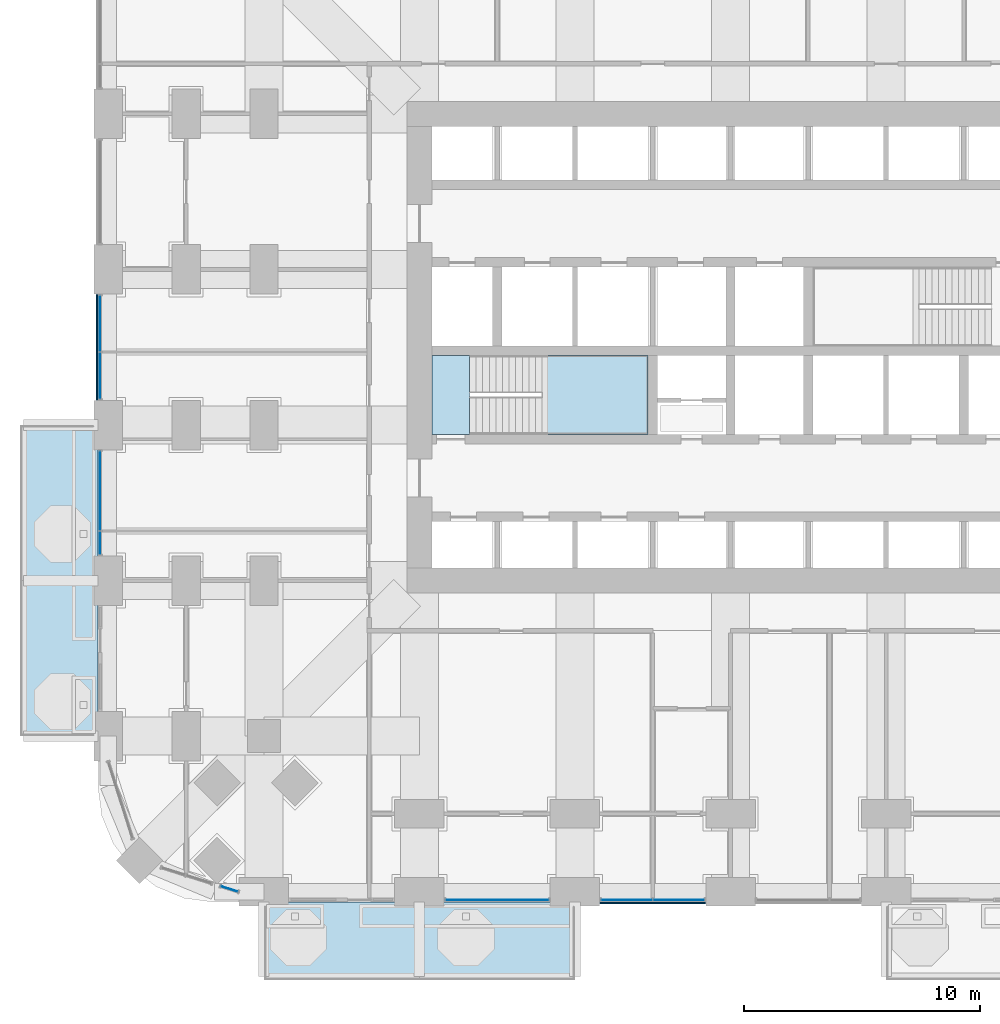
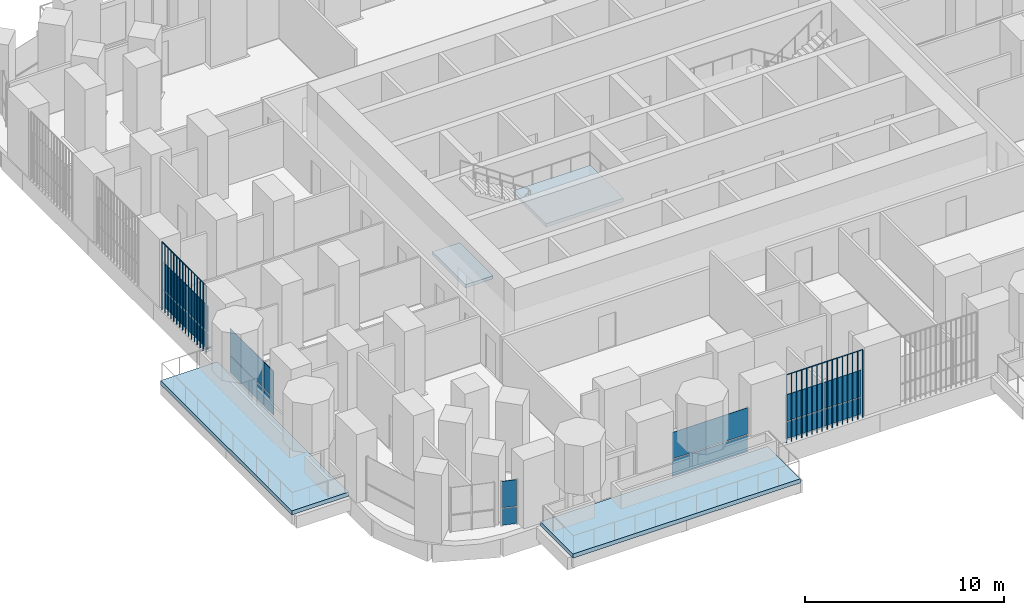
# One storey, part 12 of 27: 18 plates, 4 slabs, 6 elements without a shape of their own.
"""IFC4 building model written with IfcOpenShell, lengths in metres."""

from ifc_helpers import new_model, si_unit, direction, frame, origin, origin_2d, place, context, subcontext, project, spatial, polyline, rectangle, outline, extrude, material, layer, layer_set, type_object, element, aggregate, save


model = new_model("IFC4")

# Units and contexts
model_context = context("Model", 3, precision=1e-05, world=origin(), true_north=direction((0.0, 1.0)))
body_context = subcontext(model_context, "Body", "Model", "MODEL_VIEW")
ifc_project = project(units=[si_unit("LENGTHUNIT", "METRE"), si_unit("AREAUNIT", "SQUARE_METRE"), si_unit("VOLUMEUNIT", "CUBIC_METRE"), si_unit("PLANEANGLEUNIT", "RADIAN"), si_unit("MASSUNIT", "GRAM", prefix="KILO")], contexts=[model_context])

# Site, building, storey
site_placement = place(None, origin())
site = spatial("IfcSite", under=ifc_project, at=site_placement, CompositionType="ELEMENT")
building_placement = place(site_placement, origin())
building = spatial("IfcBuilding", under=site, at=building_placement, Name="Cobogo Forest Laboratory Tower", CompositionType="ELEMENT")
storey_placement = place(building_placement, frame((0.0, 0.0, 54.89990234375)))
storey = spatial("IfcBuildingStorey", under=building, at=storey_placement, Name="L12", CompositionType="ELEMENT", Elevation=54.89990234375)

# Slabs
ifc_material_1 = material(Name="Concrete HA-40 (C40/50)", Category="concrete")
ifc_layer_1 = layer(ifc_material_1, 0.25)
ifc_layer_set_1 = layer_set([ifc_layer_1], Name="Balcony slab 250")
slab_type_1 = type_object("IfcSlabType", Name="Balcony slab 250", PredefinedType="FLOOR", material=ifc_layer_set_1)
slab_1_placement = place(storey_placement, frame((0.0, 0.0, -0.25)))
element("IfcSlab", 1, at=slab_1_placement, inside=storey, type_object=slab_type_1, Name="Balcony BAL-S1 L12", PredefinedType="FLOOR", context=body_context, shape_type="SweptSolid", body=[
    extrude(outline(polyline([(6.60009765625, -3.75), (19.800048828125, -3.75), (19.800048828125, -0.449951171875), (6.60009765625, -0.449951171875), (6.60009765625, -3.75)])), origin(), (0.0, 0.0, 1.0), 0.25),
])
slab_2_placement = place(storey_placement, frame((0.0, 0.0, -0.25)))
element("IfcSlab", 2, at=slab_2_placement, inside=storey, type_object=slab_type_1, Name="Balcony BAL-W1 L12", PredefinedType="FLOOR", context=body_context, shape_type="SweptSolid", body=[
    extrude(outline(polyline([(-3.75, 6.60009765625), (-0.449951171875, 6.60009765625), (-0.449951171875, 19.800048828125), (-3.75, 19.800048828125), (-3.75, 6.60009765625)])), origin(), (0.0, 0.0, 1.0), 0.25),
])

# Curtain wall, plates
ifc_material_2 = material(Name="Aluminium curtain wall", Category="aluminium")
curtain_wall_type = type_object("IfcCurtainWallType", Name="CW-1 unitised curtain wall, clear glazing, laboratory floors zones A and B", PredefinedType="USERDEFINED", material=ifc_material_2)
curtain_wall_1_placement = place(storey_placement, origin())
curtain_wall_1 = element("IfcCurtainWall", 3, at=curtain_wall_1_placement, inside=storey, type_object=curtain_wall_type, Name="Curtain wall 02 L12", ObjectType="UNITISED CURTAIN WALL", PredefinedType="USERDEFINED")
ifc_material_3 = material(Name="Clear insulated glass", Category="glass")
ifc_layer_2 = layer(ifc_material_3, 0.028076171875)
ifc_layer_set_2 = layer_set([ifc_layer_2], Name="GP-1 clear insulated glass unit 28")
plate_type_1 = type_object("IfcPlateType", Name="GP-1 clear insulated glass unit 28", PredefinedType="CURTAIN_PANEL", material=ifc_layer_set_2)
plate_1_placement = place(storey_placement, frame((16.5, -0.35009765625, 0.0), z_axis=(0.0, 0.0, 1.0), x_axis=(1.0, 0.0, 0.0)))
plate_1 = element("IfcPlate", 4, at=plate_1_placement, type_object=plate_type_1, Name="CW-1 panel 1.1", PredefinedType="CURTAIN_PANEL", context=body_context, shape_type="SweptSolid", body=[
    extrude(rectangle(XDim=4.3798828125, YDim=0.028076171875, at=origin_2d()), origin(), (0.0, 0.0, 1.0), 1.02001953125),
])
plate_2_placement = place(storey_placement, frame((16.5, -0.35009765625, 1.080078125), z_axis=(0.0, 0.0, 1.0), x_axis=(1.0, 0.0, 0.0)))
plate_2 = element("IfcPlate", 5, at=plate_2_placement, type_object=plate_type_1, Name="CW-1 panel 1.2", PredefinedType="CURTAIN_PANEL", context=body_context, shape_type="SweptSolid", body=[
    extrude(rectangle(XDim=4.3798828125, YDim=0.028076171875, at=origin_2d()), origin(), (0.0, 0.0, 1.0), 1.6201171875),
])
aggregate(curtain_wall_1, [plate_1, plate_2])

curtain_wall_2_placement = place(storey_placement, origin())
curtain_wall_2 = element("IfcCurtainWall", 6, at=curtain_wall_2_placement, inside=storey, type_object=curtain_wall_type, Name="Curtain wall 03 L12", ObjectType="UNITISED CURTAIN WALL", PredefinedType="USERDEFINED")
plate_3_placement = place(storey_placement, frame((21.989990234375, -0.35009765625, 0.0), z_axis=(0.0, 0.0, 1.0), x_axis=(1.0, 0.0, 0.0)))
plate_3 = element("IfcPlate", 7, at=plate_3_placement, type_object=plate_type_1, Name="CW-1 panel 1.1", PredefinedType="CURTAIN_PANEL", context=body_context, shape_type="SweptSolid", body=[
    extrude(rectangle(XDim=2.159912109375, YDim=0.028076171875, at=origin_2d()), origin(), (0.0, 0.0, 1.0), 1.02001953125),
])
plate_4_placement = place(storey_placement, frame((21.989990234375, -0.35009765625, 1.080078125), z_axis=(0.0, 0.0, 1.0), x_axis=(1.0, 0.0, 0.0)))
plate_4 = element("IfcPlate", 8, at=plate_4_placement, type_object=plate_type_1, Name="CW-1 panel 1.2", PredefinedType="CURTAIN_PANEL", context=body_context, shape_type="SweptSolid", body=[
    extrude(rectangle(XDim=2.159912109375, YDim=0.028076171875, at=origin_2d()), origin(), (0.0, 0.0, 1.0), 1.6201171875),
])
plate_5_placement = place(storey_placement, frame((24.2099609375, -0.35009765625, 0.0), z_axis=(0.0, 0.0, 1.0), x_axis=(1.0, 0.0, 0.0)))
plate_5 = element("IfcPlate", 9, at=plate_5_placement, type_object=plate_type_1, Name="CW-1 panel 2.1", PredefinedType="CURTAIN_PANEL", context=body_context, shape_type="SweptSolid", body=[
    extrude(rectangle(XDim=2.159912109375, YDim=0.028076171875, at=origin_2d()), origin(), (0.0, 0.0, 1.0), 1.02001953125),
])
plate_6_placement = place(storey_placement, frame((24.2099609375, -0.35009765625, 1.080078125), z_axis=(0.0, 0.0, 1.0), x_axis=(1.0, 0.0, 0.0)))
plate_6 = element("IfcPlate", 10, at=plate_6_placement, type_object=plate_type_1, Name="CW-1 panel 2.2", PredefinedType="CURTAIN_PANEL", context=body_context, shape_type="SweptSolid", body=[
    extrude(rectangle(XDim=2.159912109375, YDim=0.028076171875, at=origin_2d()), origin(), (0.0, 0.0, 1.0), 1.6201171875),
])
aggregate(curtain_wall_2, [plate_3, plate_4, plate_5, plate_6])

curtain_wall_3_placement = place(storey_placement, origin())
curtain_wall_3 = element("IfcCurtainWall", 11, at=curtain_wall_3_placement, inside=storey, type_object=curtain_wall_type, Name="Curtain wall 29 L12", ObjectType="UNITISED CURTAIN WALL", PredefinedType="USERDEFINED")
plate_7_placement = place(storey_placement, frame((-0.35009765625, 24.110107421875, 0.0), z_axis=(0.0, 0.0, 1.0), x_axis=(0.0, -1.0, 0.0)))
plate_7 = element("IfcPlate", 12, at=plate_7_placement, type_object=plate_type_1, Name="CW-1 panel 1.1", PredefinedType="CURTAIN_PANEL", context=body_context, shape_type="SweptSolid", body=[
    extrude(rectangle(XDim=2.360107421875, YDim=0.028076171875, at=origin_2d()), origin(), (0.0, 0.0, 1.0), 1.02001953125),
])
plate_8_placement = place(storey_placement, frame((-0.35009765625, 24.110107421875, 1.080078125), z_axis=(0.0, 0.0, 1.0), x_axis=(0.0, -1.0, 0.0)))
plate_8 = element("IfcPlate", 13, at=plate_8_placement, type_object=plate_type_1, Name="CW-1 panel 1.2", PredefinedType="CURTAIN_PANEL", context=body_context, shape_type="SweptSolid", body=[
    extrude(rectangle(XDim=2.360107421875, YDim=0.028076171875, at=origin_2d()), origin(), (0.0, 0.0, 1.0), 1.6201171875),
])
plate_9_placement = place(storey_placement, frame((-0.35009765625, 21.889892578125, 0.0), z_axis=(0.0, 0.0, 1.0), x_axis=(0.0, -1.0, 0.0)))
plate_9 = element("IfcPlate", 14, at=plate_9_placement, type_object=plate_type_1, Name="CW-1 panel 2.1", PredefinedType="CURTAIN_PANEL", context=body_context, shape_type="SweptSolid", body=[
    extrude(rectangle(XDim=1.9599609375, YDim=0.028076171875, at=origin_2d()), origin(), (0.0, 0.0, 1.0), 1.02001953125),
])
plate_10_placement = place(storey_placement, frame((-0.35009765625, 21.889892578125, 1.080078125), z_axis=(0.0, 0.0, 1.0), x_axis=(0.0, -1.0, 0.0)))
plate_10 = element("IfcPlate", 15, at=plate_10_placement, type_object=plate_type_1, Name="CW-1 panel 2.2", PredefinedType="CURTAIN_PANEL", context=body_context, shape_type="SweptSolid", body=[
    extrude(rectangle(XDim=1.9599609375, YDim=0.028076171875, at=origin_2d()), origin(), (0.0, 0.0, 1.0), 1.6201171875),
])
aggregate(curtain_wall_3, [plate_7, plate_8, plate_9, plate_10])

curtain_wall_4_placement = place(storey_placement, origin())
curtain_wall_4 = element("IfcCurtainWall", 16, at=curtain_wall_4_placement, inside=storey, type_object=curtain_wall_type, Name="Curtain wall 30 L12", ObjectType="UNITISED CURTAIN WALL", PredefinedType="USERDEFINED")
plate_11_placement = place(storey_placement, frame((-0.35009765625, 17.010009765625, 0.0), z_axis=(0.0, 0.0, 1.0), x_axis=(0.0, -1.0, 0.0)))
plate_11 = element("IfcPlate", 17, at=plate_11_placement, type_object=plate_type_1, Name="CW-1 panel 1.1", PredefinedType="CURTAIN_PANEL", context=body_context, shape_type="SweptSolid", body=[
    extrude(rectangle(XDim=3.360107421875, YDim=0.028076171875, at=origin_2d()), origin(), (0.0, 0.0, 1.0), 1.02001953125),
])
plate_12_placement = place(storey_placement, frame((-0.35009765625, 17.010009765625, 1.080078125), z_axis=(0.0, 0.0, 1.0), x_axis=(0.0, -1.0, 0.0)))
plate_12 = element("IfcPlate", 18, at=plate_12_placement, type_object=plate_type_1, Name="CW-1 panel 1.2", PredefinedType="CURTAIN_PANEL", context=body_context, shape_type="SweptSolid", body=[
    extrude(rectangle(XDim=3.360107421875, YDim=0.028076171875, at=origin_2d()), origin(), (0.0, 0.0, 1.0), 1.6201171875),
])
plate_13_placement = place(storey_placement, frame((-0.35009765625, 14.7900390625, 0.0), z_axis=(0.0, 0.0, 1.0), x_axis=(0.0, -1.0, 0.0)))
plate_13 = element("IfcPlate", 19, at=plate_13_placement, type_object=plate_type_1, Name="CW-1 panel 2.1", PredefinedType="CURTAIN_PANEL", context=body_context, shape_type="SweptSolid", body=[
    extrude(rectangle(XDim=0.9599609375, YDim=0.028076171875, at=origin_2d()), origin(), (0.0, 0.0, 1.0), 1.02001953125),
])
plate_14_placement = place(storey_placement, frame((-0.35009765625, 14.7900390625, 1.080078125), z_axis=(0.0, 0.0, 1.0), x_axis=(0.0, -1.0, 0.0)))
plate_14 = element("IfcPlate", 20, at=plate_14_placement, type_object=plate_type_1, Name="CW-1 panel 2.2", PredefinedType="CURTAIN_PANEL", context=body_context, shape_type="SweptSolid", body=[
    extrude(rectangle(XDim=0.9599609375, YDim=0.028076171875, at=origin_2d()), origin(), (0.0, 0.0, 1.0), 1.6201171875),
])
aggregate(curtain_wall_4, [plate_11, plate_12, plate_13, plate_14])

curtain_wall_5_placement = place(storey_placement, origin())
curtain_wall_5 = element("IfcCurtainWall", 21, at=curtain_wall_5_placement, inside=storey, type_object=curtain_wall_type, Name="Curtain wall 34 L12", ObjectType="UNITISED CURTAIN WALL", PredefinedType="USERDEFINED")
plate_15_placement = place(storey_placement, frame((5.134033203125, 0.113037109375, 0.0), z_axis=(0.0, 0.0, 1.0), x_axis=(0.953581504428, -0.301135043481, 0.0)))
plate_15 = element("IfcPlate", 22, at=plate_15_placement, type_object=plate_type_1, Name="CW-1 panel 1.1", PredefinedType="CURTAIN_PANEL", context=body_context, shape_type="SweptSolid", body=[
    extrude(rectangle(XDim=0.75244140625, YDim=0.028076171875, at=origin_2d()), origin(), (0.0, 0.0, 1.0), 1.02001953125),
])
plate_16_placement = place(storey_placement, frame((5.134033203125, 0.113037109375, 1.080078125), z_axis=(0.0, 0.0, 1.0), x_axis=(0.953581504428, -0.301135043481, 0.0)))
plate_16 = element("IfcPlate", 23, at=plate_16_placement, type_object=plate_type_1, Name="CW-1 panel 1.2", PredefinedType="CURTAIN_PANEL", context=body_context, shape_type="SweptSolid", body=[
    extrude(rectangle(XDim=0.75244140625, YDim=0.028076171875, at=origin_2d()), origin(), (0.0, 0.0, 1.0), 1.6201171875),
])
aggregate(curtain_wall_5, [plate_15, plate_16])

# Stair, slabs
ifc_material_4 = material(Name="Precast concrete HA-40 (C40/50)", Category="concrete")
stair_type = type_object("IfcStairType", Name="ST24 exit stair 24 risers", PredefinedType="HALF_TURN_STAIR", material=ifc_material_4)
stair_placement = place(storey_placement, origin())
stair = element("IfcStair", 24, at=stair_placement, inside=storey, type_object=stair_type, Name="Stair 1 L12 to L13", PredefinedType="HALF_TURN_STAIR")
ifc_layer_3 = layer(ifc_material_1, 0.199951171875)
ifc_layer_set_3 = layer_set([ifc_layer_3], Name="SL stair landing 200")
slab_type_2 = type_object("IfcSlabType", Name="SL stair landing 200", PredefinedType="LANDING", material=ifc_layer_set_3)
slab_3_placement = place(storey_placement, frame((0.0, 0.0, -0.199951171875)))
slab_3 = element("IfcSlab", 25, at=slab_3_placement, type_object=slab_type_2, Name="ST1 landing 1", PredefinedType="LANDING", context=body_context, shape_type="SweptSolid", body=[
    extrude(outline(polyline([(13.72509765625, 19.39990234375), (15.326904296875, 19.39990234375), (15.326904296875, 22.75), (13.72509765625, 22.75), (13.72509765625, 19.39990234375)])), origin(), (0.0, 0.0, 1.0), 0.199951171875),
])
slab_4_placement = place(storey_placement, frame((0.0, 0.0, 1.900146484375)))
slab_4 = element("IfcSlab", 26, at=slab_4_placement, type_object=slab_type_2, Name="ST1 landing 2", PredefinedType="LANDING", context=body_context, shape_type="SweptSolid", body=[
    extrude(outline(polyline([(18.403076171875, 19.39990234375), (22.89990234375, 19.39990234375), (22.89990234375, 22.75), (18.403076171875, 22.75), (18.403076171875, 19.39990234375)])), origin(), (0.0, 0.0, 1.0), 0.199951171875),
])
aggregate(stair, [slab_3, slab_4])

# Plates
ifc_material_5 = material(Name="Terracotta", Category="masonry")
plate_type_2 = type_object("IfcPlateType", Name="TB1 terracotta baguette screen", PredefinedType="USERDEFINED", material=ifc_material_5)
plate_17_placement = place(storey_placement, frame((20.88134765625, -0.477783203125, -0.14990234375)))
element("IfcPlate", 27, at=plate_17_placement, inside=storey, type_object=plate_type_2, Name="Baguette screen S3 L12", ObjectType="BAGUETTE SCREEN", PredefinedType="USERDEFINED", context=body_context, shape_type="SweptSolid", body=[
    extrude(outline(polyline([(0.02880859375, 0.011962890625), (0.011962890625, 0.02880859375), (-0.011962890625, 0.02880859375), (-0.02880859375, 0.011962890625), (-0.02880859375, -0.011962890625), (-0.011962890625, -0.02880859375), (0.011962890625, -0.02880859375), (0.02880859375, -0.011962890625), (0.02880859375, 0.011962890625)])), frame((0.0, 0.0, 4.168701171875), z_axis=(1.0, 0.0, 0.0), x_axis=(0.0, 1.0, 0.0)), (0.0, 0.0, 1.0), 4.4375),
    extrude(outline(polyline([(0.02880859375, 0.011962890625), (0.011962890625, 0.02880859375), (-0.011962890625, 0.02880859375), (-0.02880859375, 0.011962890625), (-0.02880859375, -0.011962890625), (-0.011962890625, -0.02880859375), (0.011962890625, -0.02880859375), (0.02880859375, -0.011962890625), (0.02880859375, 0.011962890625)])), origin(), (0.0, 0.0, 1.0), 4.137451171875),
    extrude(outline(polyline([(0.02880859375, 0.011962890625), (0.011962890625, 0.02880859375), (-0.011962890625, 0.02880859375), (-0.02880859375, 0.011962890625), (-0.02880859375, -0.011962890625), (-0.011962890625, -0.02880859375), (0.011962890625, -0.02880859375), (0.02880859375, -0.011962890625), (0.02880859375, 0.011962890625)])), frame((0.2958984375, 0.0, 0.0)), (0.0, 0.0, 1.0), 4.137451171875),
    extrude(outline(polyline([(0.02880859375, 0.011962890625), (0.011962890625, 0.02880859375), (-0.011962890625, 0.02880859375), (-0.02880859375, 0.011962890625), (-0.02880859375, -0.011962890625), (-0.011962890625, -0.02880859375), (0.011962890625, -0.02880859375), (0.02880859375, -0.011962890625), (0.02880859375, 0.011962890625)])), frame((0.591552734375, 0.0, 0.0)), (0.0, 0.0, 1.0), 4.137451171875),
    extrude(outline(polyline([(0.02880859375, 0.011962890625), (0.011962890625, 0.02880859375), (-0.011962890625, 0.02880859375), (-0.02880859375, 0.011962890625), (-0.02880859375, -0.011962890625), (-0.011962890625, -0.02880859375), (0.011962890625, -0.02880859375), (0.02880859375, -0.011962890625), (0.02880859375, 0.011962890625)])), frame((0.887451171875, 0.0, 0.0)), (0.0, 0.0, 1.0), 4.137451171875),
    extrude(outline(polyline([(0.02880859375, 0.011962890625), (0.011962890625, 0.02880859375), (-0.011962890625, 0.02880859375), (-0.02880859375, 0.011962890625), (-0.02880859375, -0.011962890625), (-0.011962890625, -0.02880859375), (0.011962890625, -0.02880859375), (0.02880859375, -0.011962890625), (0.02880859375, 0.011962890625)])), frame((1.183349609375, 0.0, 0.0)), (0.0, 0.0, 1.0), 4.137451171875),
    extrude(outline(polyline([(0.02880859375, 0.011962890625), (0.011962890625, 0.02880859375), (-0.011962890625, 0.02880859375), (-0.02880859375, 0.011962890625), (-0.02880859375, -0.011962890625), (-0.011962890625, -0.02880859375), (0.011962890625, -0.02880859375), (0.02880859375, -0.011962890625), (0.02880859375, 0.011962890625)])), frame((1.479248046875, 0.0, 0.0)), (0.0, 0.0, 1.0), 4.137451171875),
    extrude(outline(polyline([(0.02880859375, 0.011962890625), (0.011962890625, 0.02880859375), (-0.011962890625, 0.02880859375), (-0.02880859375, 0.011962890625), (-0.02880859375, -0.011962890625), (-0.011962890625, -0.02880859375), (0.011962890625, -0.02880859375), (0.02880859375, -0.011962890625), (0.02880859375, 0.011962890625)])), frame((1.77490234375, 0.0, 0.0)), (0.0, 0.0, 1.0), 4.137451171875),
    extrude(outline(polyline([(0.02880859375, 0.011962890625), (0.011962890625, 0.02880859375), (-0.011962890625, 0.02880859375), (-0.02880859375, 0.011962890625), (-0.02880859375, -0.011962890625), (-0.011962890625, -0.02880859375), (0.011962890625, -0.02880859375), (0.02880859375, -0.011962890625), (0.02880859375, 0.011962890625)])), frame((2.07080078125, 0.0, 0.0)), (0.0, 0.0, 1.0), 4.137451171875),
    extrude(outline(polyline([(0.02880859375, 0.011962890625), (0.011962890625, 0.02880859375), (-0.011962890625, 0.02880859375), (-0.02880859375, 0.011962890625), (-0.02880859375, -0.011962890625), (-0.011962890625, -0.02880859375), (0.011962890625, -0.02880859375), (0.02880859375, -0.011962890625), (0.02880859375, 0.011962890625)])), frame((2.36669921875, 0.0, 0.0)), (0.0, 0.0, 1.0), 4.137451171875),
    extrude(outline(polyline([(0.02880859375, 0.011962890625), (0.011962890625, 0.02880859375), (-0.011962890625, 0.02880859375), (-0.02880859375, 0.011962890625), (-0.02880859375, -0.011962890625), (-0.011962890625, -0.02880859375), (0.011962890625, -0.02880859375), (0.02880859375, -0.011962890625), (0.02880859375, 0.011962890625)])), frame((2.66259765625, 0.0, 0.0)), (0.0, 0.0, 1.0), 4.137451171875),
    extrude(outline(polyline([(0.02880859375, 0.011962890625), (0.011962890625, 0.02880859375), (-0.011962890625, 0.02880859375), (-0.02880859375, 0.011962890625), (-0.02880859375, -0.011962890625), (-0.011962890625, -0.02880859375), (0.011962890625, -0.02880859375), (0.02880859375, -0.011962890625), (0.02880859375, 0.011962890625)])), frame((2.958251953125, 0.0, 0.0)), (0.0, 0.0, 1.0), 4.137451171875),
    extrude(outline(polyline([(0.02880859375, 0.011962890625), (0.011962890625, 0.02880859375), (-0.011962890625, 0.02880859375), (-0.02880859375, 0.011962890625), (-0.02880859375, -0.011962890625), (-0.011962890625, -0.02880859375), (0.011962890625, -0.02880859375), (0.02880859375, -0.011962890625), (0.02880859375, 0.011962890625)])), frame((3.254150390625, 0.0, 0.0)), (0.0, 0.0, 1.0), 4.137451171875),
    extrude(outline(polyline([(0.02880859375, 0.011962890625), (0.011962890625, 0.02880859375), (-0.011962890625, 0.02880859375), (-0.02880859375, 0.011962890625), (-0.02880859375, -0.011962890625), (-0.011962890625, -0.02880859375), (0.011962890625, -0.02880859375), (0.02880859375, -0.011962890625), (0.02880859375, 0.011962890625)])), frame((3.550048828125, 0.0, 0.0)), (0.0, 0.0, 1.0), 4.137451171875),
    extrude(outline(polyline([(0.02880859375, 0.011962890625), (0.011962890625, 0.02880859375), (-0.011962890625, 0.02880859375), (-0.02880859375, 0.011962890625), (-0.02880859375, -0.011962890625), (-0.011962890625, -0.02880859375), (0.011962890625, -0.02880859375), (0.02880859375, -0.011962890625), (0.02880859375, 0.011962890625)])), frame((3.845947265625, 0.0, 0.0)), (0.0, 0.0, 1.0), 4.137451171875),
    extrude(outline(polyline([(0.02880859375, 0.011962890625), (0.011962890625, 0.02880859375), (-0.011962890625, 0.02880859375), (-0.02880859375, 0.011962890625), (-0.02880859375, -0.011962890625), (-0.011962890625, -0.02880859375), (0.011962890625, -0.02880859375), (0.02880859375, -0.011962890625), (0.02880859375, 0.011962890625)])), frame((4.1416015625, 0.0, 0.0)), (0.0, 0.0, 1.0), 4.137451171875),
    extrude(outline(polyline([(0.02880859375, 0.011962890625), (0.011962890625, 0.02880859375), (-0.011962890625, 0.02880859375), (-0.02880859375, 0.011962890625), (-0.02880859375, -0.011962890625), (-0.011962890625, -0.02880859375), (0.011962890625, -0.02880859375), (0.02880859375, -0.011962890625), (0.02880859375, 0.011962890625)])), frame((4.4375, 0.0, 0.0)), (0.0, 0.0, 1.0), 4.137451171875),
])
plate_18_placement = place(storey_placement, frame((-0.477783203125, 20.88134765625, -0.14990234375)))
element("IfcPlate", 28, at=plate_18_placement, inside=storey, type_object=plate_type_2, Name="Baguette screen W3 L12", ObjectType="BAGUETTE SCREEN", PredefinedType="USERDEFINED", context=body_context, shape_type="SweptSolid", body=[
    extrude(outline(polyline([(0.02880859375, 0.011962890625), (0.011962890625, 0.02880859375), (-0.011962890625, 0.02880859375), (-0.02880859375, 0.011962890625), (-0.02880859375, -0.011962890625), (-0.011962890625, -0.02880859375), (0.011962890625, -0.02880859375), (0.02880859375, -0.011962890625), (0.02880859375, 0.011962890625)])), frame((0.0, 0.0, 4.168701171875), z_axis=(0.0, 1.0, 0.0), x_axis=(-1.0, 0.0, 0.0)), (0.0, 0.0, 1.0), 4.4375),
    extrude(outline(polyline([(0.02880859375, 0.011962890625), (0.011962890625, 0.02880859375), (-0.011962890625, 0.02880859375), (-0.02880859375, 0.011962890625), (-0.02880859375, -0.011962890625), (-0.011962890625, -0.02880859375), (0.011962890625, -0.02880859375), (0.02880859375, -0.011962890625), (0.02880859375, 0.011962890625)])), origin(), (0.0, 0.0, 1.0), 4.137451171875),
    extrude(outline(polyline([(0.02880859375, 0.011962890625), (0.011962890625, 0.02880859375), (-0.011962890625, 0.02880859375), (-0.02880859375, 0.011962890625), (-0.02880859375, -0.011962890625), (-0.011962890625, -0.02880859375), (0.011962890625, -0.02880859375), (0.02880859375, -0.011962890625), (0.02880859375, 0.011962890625)])), frame((0.0, 0.2958984375, 0.0)), (0.0, 0.0, 1.0), 4.137451171875),
    extrude(outline(polyline([(0.02880859375, 0.011962890625), (0.011962890625, 0.02880859375), (-0.011962890625, 0.02880859375), (-0.02880859375, 0.011962890625), (-0.02880859375, -0.011962890625), (-0.011962890625, -0.02880859375), (0.011962890625, -0.02880859375), (0.02880859375, -0.011962890625), (0.02880859375, 0.011962890625)])), frame((0.0, 0.591552734375, 0.0)), (0.0, 0.0, 1.0), 4.137451171875),
    extrude(outline(polyline([(0.02880859375, 0.011962890625), (0.011962890625, 0.02880859375), (-0.011962890625, 0.02880859375), (-0.02880859375, 0.011962890625), (-0.02880859375, -0.011962890625), (-0.011962890625, -0.02880859375), (0.011962890625, -0.02880859375), (0.02880859375, -0.011962890625), (0.02880859375, 0.011962890625)])), frame((0.0, 0.887451171875, 0.0)), (0.0, 0.0, 1.0), 4.137451171875),
    extrude(outline(polyline([(0.02880859375, 0.011962890625), (0.011962890625, 0.02880859375), (-0.011962890625, 0.02880859375), (-0.02880859375, 0.011962890625), (-0.02880859375, -0.011962890625), (-0.011962890625, -0.02880859375), (0.011962890625, -0.02880859375), (0.02880859375, -0.011962890625), (0.02880859375, 0.011962890625)])), frame((0.0, 1.183349609375, 0.0)), (0.0, 0.0, 1.0), 4.137451171875),
    extrude(outline(polyline([(0.02880859375, 0.011962890625), (0.011962890625, 0.02880859375), (-0.011962890625, 0.02880859375), (-0.02880859375, 0.011962890625), (-0.02880859375, -0.011962890625), (-0.011962890625, -0.02880859375), (0.011962890625, -0.02880859375), (0.02880859375, -0.011962890625), (0.02880859375, 0.011962890625)])), frame((0.0, 1.479248046875, 0.0)), (0.0, 0.0, 1.0), 4.137451171875),
    extrude(outline(polyline([(0.02880859375, 0.011962890625), (0.011962890625, 0.02880859375), (-0.011962890625, 0.02880859375), (-0.02880859375, 0.011962890625), (-0.02880859375, -0.011962890625), (-0.011962890625, -0.02880859375), (0.011962890625, -0.02880859375), (0.02880859375, -0.011962890625), (0.02880859375, 0.011962890625)])), frame((0.0, 1.77490234375, 0.0)), (0.0, 0.0, 1.0), 4.137451171875),
    extrude(outline(polyline([(0.02880859375, 0.011962890625), (0.011962890625, 0.02880859375), (-0.011962890625, 0.02880859375), (-0.02880859375, 0.011962890625), (-0.02880859375, -0.011962890625), (-0.011962890625, -0.02880859375), (0.011962890625, -0.02880859375), (0.02880859375, -0.011962890625), (0.02880859375, 0.011962890625)])), frame((0.0, 2.07080078125, 0.0)), (0.0, 0.0, 1.0), 4.137451171875),
    extrude(outline(polyline([(0.02880859375, 0.011962890625), (0.011962890625, 0.02880859375), (-0.011962890625, 0.02880859375), (-0.02880859375, 0.011962890625), (-0.02880859375, -0.011962890625), (-0.011962890625, -0.02880859375), (0.011962890625, -0.02880859375), (0.02880859375, -0.011962890625), (0.02880859375, 0.011962890625)])), frame((0.0, 2.36669921875, 0.0)), (0.0, 0.0, 1.0), 4.137451171875),
    extrude(outline(polyline([(0.02880859375, 0.011962890625), (0.011962890625, 0.02880859375), (-0.011962890625, 0.02880859375), (-0.02880859375, 0.011962890625), (-0.02880859375, -0.011962890625), (-0.011962890625, -0.02880859375), (0.011962890625, -0.02880859375), (0.02880859375, -0.011962890625), (0.02880859375, 0.011962890625)])), frame((0.0, 2.66259765625, 0.0)), (0.0, 0.0, 1.0), 4.137451171875),
    extrude(outline(polyline([(0.02880859375, 0.011962890625), (0.011962890625, 0.02880859375), (-0.011962890625, 0.02880859375), (-0.02880859375, 0.011962890625), (-0.02880859375, -0.011962890625), (-0.011962890625, -0.02880859375), (0.011962890625, -0.02880859375), (0.02880859375, -0.011962890625), (0.02880859375, 0.011962890625)])), frame((0.0, 2.958251953125, 0.0)), (0.0, 0.0, 1.0), 4.137451171875),
    extrude(outline(polyline([(0.02880859375, 0.011962890625), (0.011962890625, 0.02880859375), (-0.011962890625, 0.02880859375), (-0.02880859375, 0.011962890625), (-0.02880859375, -0.011962890625), (-0.011962890625, -0.02880859375), (0.011962890625, -0.02880859375), (0.02880859375, -0.011962890625), (0.02880859375, 0.011962890625)])), frame((0.0, 3.254150390625, 0.0)), (0.0, 0.0, 1.0), 4.137451171875),
    extrude(outline(polyline([(0.02880859375, 0.011962890625), (0.011962890625, 0.02880859375), (-0.011962890625, 0.02880859375), (-0.02880859375, 0.011962890625), (-0.02880859375, -0.011962890625), (-0.011962890625, -0.02880859375), (0.011962890625, -0.02880859375), (0.02880859375, -0.011962890625), (0.02880859375, 0.011962890625)])), frame((0.0, 3.550048828125, 0.0)), (0.0, 0.0, 1.0), 4.137451171875),
    extrude(outline(polyline([(0.02880859375, 0.011962890625), (0.011962890625, 0.02880859375), (-0.011962890625, 0.02880859375), (-0.02880859375, 0.011962890625), (-0.02880859375, -0.011962890625), (-0.011962890625, -0.02880859375), (0.011962890625, -0.02880859375), (0.02880859375, -0.011962890625), (0.02880859375, 0.011962890625)])), frame((0.0, 3.845947265625, 0.0)), (0.0, 0.0, 1.0), 4.137451171875),
    extrude(outline(polyline([(0.02880859375, 0.011962890625), (0.011962890625, 0.02880859375), (-0.011962890625, 0.02880859375), (-0.02880859375, 0.011962890625), (-0.02880859375, -0.011962890625), (-0.011962890625, -0.02880859375), (0.011962890625, -0.02880859375), (0.02880859375, -0.011962890625), (0.02880859375, 0.011962890625)])), frame((0.0, 4.1416015625, 0.0)), (0.0, 0.0, 1.0), 4.137451171875),
    extrude(outline(polyline([(0.02880859375, 0.011962890625), (0.011962890625, 0.02880859375), (-0.011962890625, 0.02880859375), (-0.02880859375, 0.011962890625), (-0.02880859375, -0.011962890625), (-0.011962890625, -0.02880859375), (0.011962890625, -0.02880859375), (0.02880859375, -0.011962890625), (0.02880859375, 0.011962890625)])), frame((0.0, 4.4375, 0.0)), (0.0, 0.0, 1.0), 4.137451171875),
])

save(model, "model.ifc")
